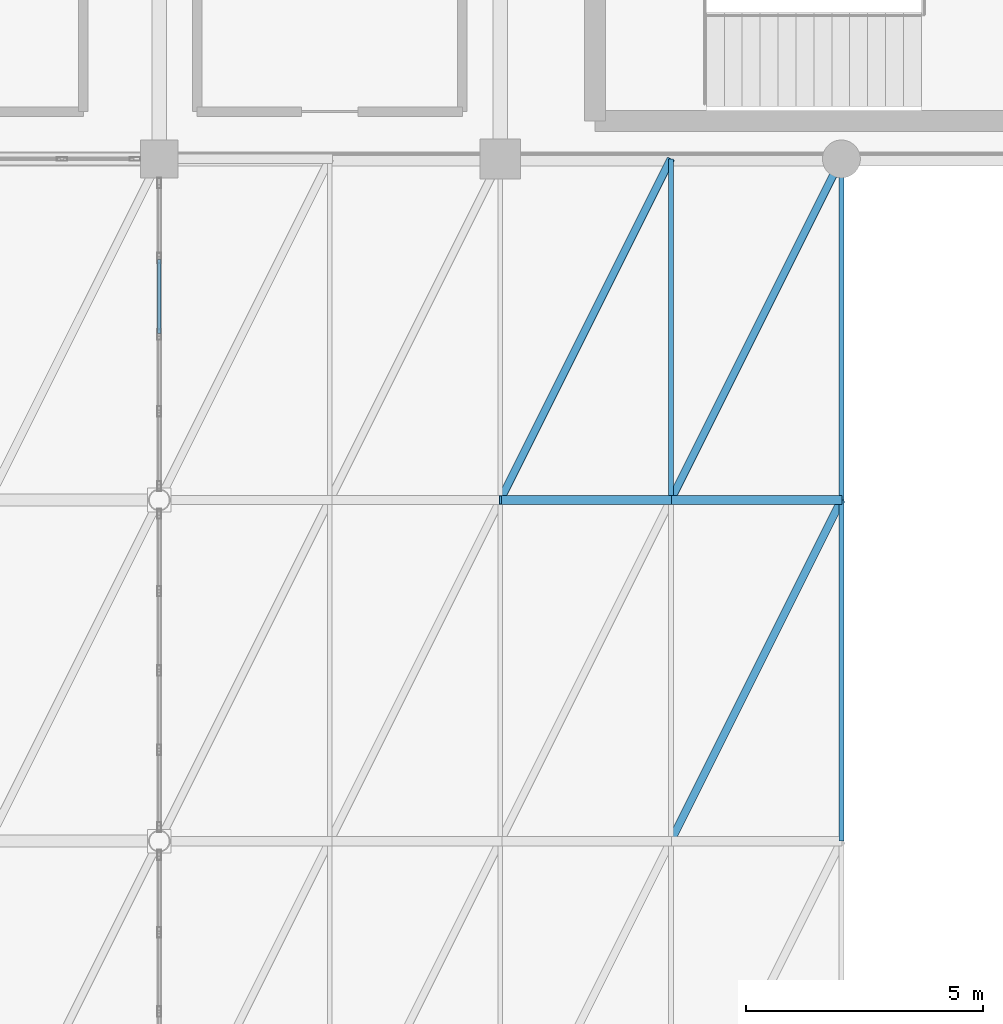
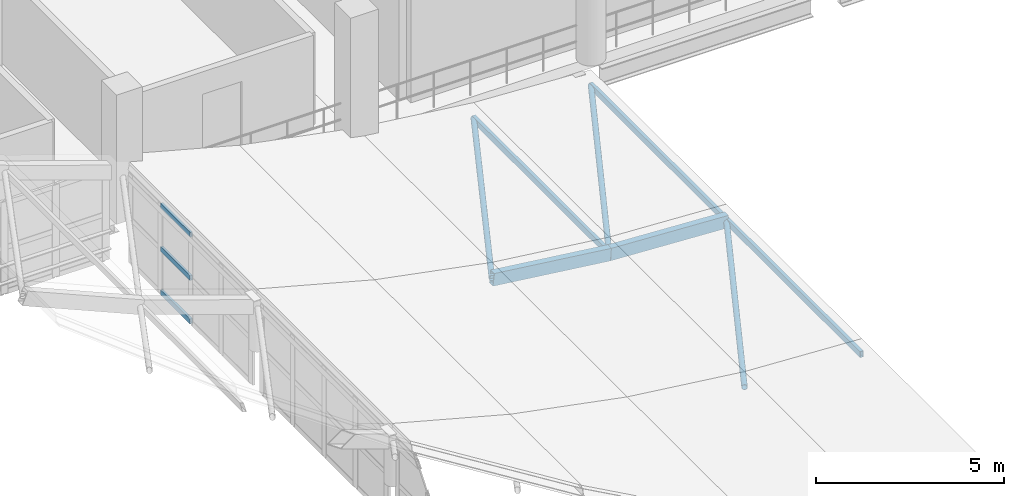
# One storey, part 70 of 153: 9 members, 2 beams, 1 element without a shape of its own.
"""IFC4 building model written with IfcOpenShell, lengths in metres."""

from ifc_helpers import new_model, si_unit, direction, frame, origin, origin_2d, place, context, subcontext, project, spatial, hollow_rectangle, hollow_circle, extrude, material, material_profile, profile_set, type_object, element, aggregate, save


model = new_model("IFC4")

# Units and contexts
model_context = context("Model", 3, precision=1e-05, world=origin(), true_north=direction((0.0, 1.0)))
body_context = subcontext(model_context, "Body", "Model", "MODEL_VIEW")
ifc_project = project(units=[si_unit("LENGTHUNIT", "METRE"), si_unit("AREAUNIT", "SQUARE_METRE"), si_unit("VOLUMEUNIT", "CUBIC_METRE"), si_unit("PLANEANGLEUNIT", "RADIAN"), si_unit("MASSUNIT", "GRAM", prefix="KILO")], contexts=[model_context])

# Site, building, storey
site_placement = place(None, origin())
site = spatial("IfcSite", under=ifc_project, at=site_placement, CompositionType="ELEMENT")
building_placement = place(site_placement, origin())
building = spatial("IfcBuilding", under=site, at=building_placement, Name="Qandorah Velis Arena", CompositionType="ELEMENT")
storey_placement = place(building_placement, frame((0.0, 0.0, 5.39990234375)))
storey = spatial("IfcBuildingStorey", under=building, at=storey_placement, Name="L01", CompositionType="ELEMENT", Elevation=5.39990234375)

# Curtain wall, members
ifc_material_1 = material(Name="Solar-control low-E double glazing", Category="glass")
curtain_wall_type = type_object("IfcCurtainWallType", Name="ARC-CW-SYS09", PredefinedType="USERDEFINED", material=ifc_material_1)
curtain_wall_placement = place(storey_placement, origin())
curtain_wall = element("IfcCurtainWall", 1, at=curtain_wall_placement, inside=storey, type_object=curtain_wall_type, Name="Unitised curtain wall FOY-UP-8", ObjectType="UNITISED CURTAIN WALL", PredefinedType="USERDEFINED")
ifc_material_2 = material(Name="Champagne-bronze anodized aluminium 6063-T6", Category="aluminium")
ifc_material_profile_1 = material_profile(ifc_material_2, hollow_rectangle(XDim=0.074951171875, YDim=0.159912109375, WallThickness=0.00341796875, at=origin_2d()), Name="ALU TRANSOM 75x160")
ifc_profile_set_1 = profile_set([ifc_material_profile_1], Name="Champagne-bronze anodized aluminium 6063-T6")
member_type_1 = type_object("IfcMemberType", Name="ARC-CWT-160", PredefinedType="USERDEFINED", material=ifc_profile_set_1)
member_1_placement = place(storey_placement, frame((144.0, 39.5146484375, -1.282470703125), z_axis=(0.0, 1.0, 0.0), x_axis=(-1.0, 0.0, 0.0)))
member_1 = element("IfcMember", 2, at=member_1_placement, type_object=member_type_1, Name="CW09 transom 3.1", ObjectType="TRANSOM", PredefinedType="USERDEFINED", context=body_context, shape_type="SweptSolid", body=[
    extrude(hollow_rectangle(XDim=0.074951171875, YDim=0.159912109375, WallThickness=0.00341796875, at=origin_2d()), origin(), (0.0, 0.0, 1.0), 1.56689453125),
])
member_2_placement = place(storey_placement, frame((144.0, 39.5146484375, 0.12451171875), z_axis=(0.0, 1.0, 0.0), x_axis=(-1.0, 0.0, 0.0)))
member_2 = element("IfcMember", 3, at=member_2_placement, type_object=member_type_1, Name="CW09 transom 3.2", ObjectType="TRANSOM", PredefinedType="USERDEFINED", context=body_context, shape_type="SweptSolid", body=[
    extrude(hollow_rectangle(XDim=0.074951171875, YDim=0.159912109375, WallThickness=0.00341796875, at=origin_2d()), origin(), (0.0, 0.0, 1.0), 1.56689453125),
])
member_3_placement = place(storey_placement, frame((144.0, 39.5146484375, 1.53125), z_axis=(0.0, 1.0, 0.0), x_axis=(-1.0, 0.0, 0.0)))
member_3 = element("IfcMember", 4, at=member_3_placement, type_object=member_type_1, Name="CW09 transom 3.3", ObjectType="TRANSOM", PredefinedType="USERDEFINED", context=body_context, shape_type="SweptSolid", body=[
    extrude(hollow_rectangle(XDim=0.074951171875, YDim=0.159912109375, WallThickness=0.00341796875, at=origin_2d()), origin(), (0.0, 0.0, 1.0), 1.56689453125),
])
aggregate(curtain_wall, [member_1, member_2, member_3])

# Beams
ifc_material_3 = material(Name="Steel S355", Category="steel")
ifc_material_profile_2 = material_profile(ifc_material_3, hollow_rectangle(XDim=0.199951171875, YDim=0.39990234375, WallThickness=0.01611328125, at=origin_2d()), Name="RHS 400x200x16")
ifc_profile_set_2 = profile_set([ifc_material_profile_2], Name="Steel S355")
beam_type = type_object("IfcBeamType", Name="STR-CRB-RHS400", PredefinedType="USERDEFINED", material=ifc_profile_set_2)
beam_1_placement = place(storey_placement, frame((151.199951171875, 36.0, -0.2705078125), z_axis=(0.992623962298, 0.0, -0.121233945212), x_axis=(0.0, 1.0, 0.0)))
element("IfcBeam", 5, at=beam_1_placement, inside=storey, type_object=beam_type, Name="Sweeping canopy rib CRB-4.11", ObjectType="ROOF TRUSS", PredefinedType="USERDEFINED", context=body_context, shape_type="SweptSolid", body=[
    extrude(hollow_rectangle(XDim=0.199951171875, YDim=0.39990234375, WallThickness=0.01611328125, at=origin_2d()), origin(), (0.0, 0.0, 1.0), 3.626953125),
])
beam_2_placement = place(storey_placement, frame((154.800048828125, 36.0, -0.710205078125), z_axis=(0.99861445971, 0.0, -0.0526228169), x_axis=(0.0, 1.0, 0.0)))
element("IfcBeam", 6, at=beam_2_placement, inside=storey, type_object=beam_type, Name="Sweeping canopy rib CRB-4.12", ObjectType="ROOF TRUSS", PredefinedType="USERDEFINED", context=body_context, shape_type="SweptSolid", body=[
    extrude(hollow_rectangle(XDim=0.199951171875, YDim=0.39990234375, WallThickness=0.01611328125, at=origin_2d()), origin(), (0.0, 0.0, 1.0), 3.604736328125),
])

# Members
ifc_material_profile_3 = material_profile(ifc_material_3, hollow_rectangle(XDim=0.10009765625, YDim=0.199951171875, WallThickness=0.008056640625, at=origin_2d()), Name="RHS 200x100x8")
ifc_profile_set_3 = profile_set([ifc_material_profile_3], Name="Steel S355")
member_type_2 = type_object("IfcMemberType", Name="STR-PRL-RHS200", PredefinedType="PURLIN", material=ifc_profile_set_3)
for number, where, z_axis, x_axis, name in (
    (7, (158.39990234375, 28.800048828125, -0.89990234375), (0.0, 1.0, 0.0), (-1.0, 0.0, 0.0), "Canopy cross purlin CPR-3.12"),
    (8, (154.800048828125, 36.0, -0.710205078125), (0.0, 1.0, 0.0), (-1.0, 0.0, 0.0), "Canopy cross purlin CPR-4.11"),
    (9, (158.39990234375, 36.0, -0.89990234375), (0.0, 1.0, 0.0), (-1.0, 0.0, 0.0), "Canopy cross purlin CPR-4.12"),
):
    element("IfcMember", number, at=place(storey_placement, frame(where, z_axis=z_axis, x_axis=x_axis)), inside=storey, type_object=member_type_2, Name=name, PredefinedType="PURLIN", context=body_context, shape_type="SweptSolid", body=[
        extrude(hollow_rectangle(XDim=0.10009765625, YDim=0.199951171875, WallThickness=0.008056640625, at=origin_2d()), origin(), (0.0, 0.0, 1.0), 7.199951171875),
    ])
ifc_material_profile_4 = material_profile(ifc_material_3, hollow_circle(Radius=0.084228515625, WallThickness=0.008056640625, at=origin_2d()), Name="CHS 168.3x8")
ifc_profile_set_4 = profile_set([ifc_material_profile_4], Name="Steel S355")
member_type_3 = type_object("IfcMemberType", Name="STR-SFD-CHS168X8", PredefinedType="STRUT", material=ifc_profile_set_4)
member_4_placement = place(storey_placement, frame((154.800048828125, 28.800048828125, -0.710205078125), z_axis=(0.447077341125, 0.894185002857, -0.02355911116), x_axis=(-0.894433256723, 0.447201463849, 0.0)))
element("IfcMember", 10, at=member_4_placement, inside=storey, type_object=member_type_3, Name="Canopy roof plane diagonal CDG-3.12", PredefinedType="STRUT", context=body_context, shape_type="SweptSolid", body=[
    extrude(hollow_circle(Radius=0.084228515625, WallThickness=0.008056640625, at=origin_2d()), origin(), (0.0, 0.0, 1.0), 8.052001953125),
])
member_5_placement = place(storey_placement, frame((151.199951171875, 36.0, -0.2705078125), z_axis=(0.446560057141, 0.893089830811, -0.054540530511), x_axis=(-0.894421125195, 0.447225726904, 0.0)))
element("IfcMember", 11, at=member_5_placement, inside=storey, type_object=member_type_3, Name="Canopy roof plane diagonal CDG-4.11", PredefinedType="STRUT", context=body_context, shape_type="SweptSolid", body=[
    extrude(hollow_circle(Radius=0.084228515625, WallThickness=0.008056640625, at=origin_2d()), origin(), (0.0, 0.0, 1.0), 8.061767578125),
])
member_6_placement = place(storey_placement, frame((154.800048828125, 36.0, -0.710205078125), z_axis=(0.447077341125, 0.894185002857, -0.02355911116), x_axis=(-0.894433256723, 0.447201463849, 0.0)))
element("IfcMember", 12, at=member_6_placement, inside=storey, type_object=member_type_3, Name="Canopy roof plane diagonal CDG-4.12", PredefinedType="STRUT", context=body_context, shape_type="SweptSolid", body=[
    extrude(hollow_circle(Radius=0.084228515625, WallThickness=0.008056640625, at=origin_2d()), origin(), (0.0, 0.0, 1.0), 8.052001953125),
])

save(model, "model.ifc")
